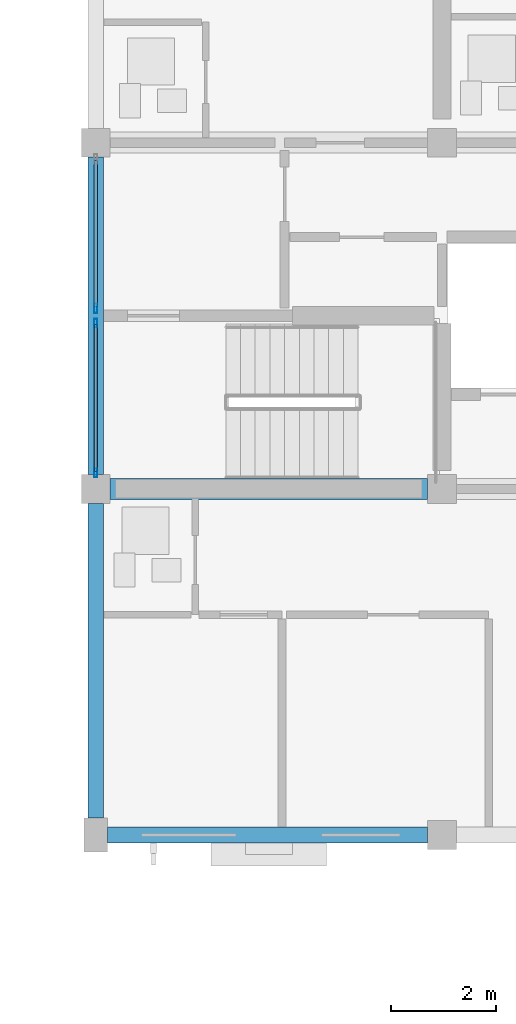
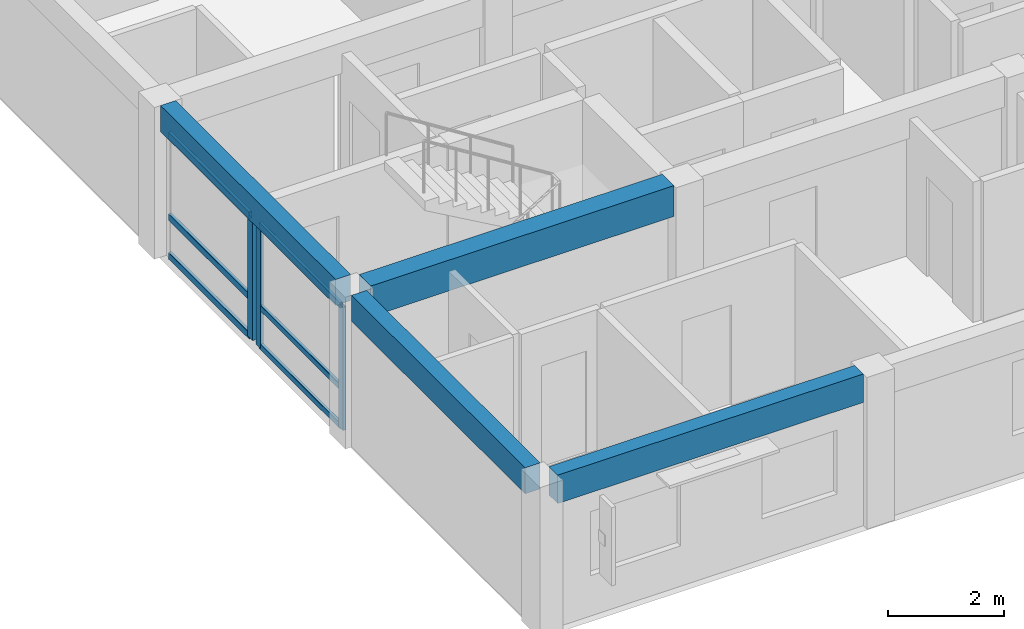
# One storey, part 18 of 52: 9 members, 4 beams, 2 elements without a shape of their own.
"""IFC4 building model written with IfcOpenShell, lengths in metres."""

import ifcopenshell
import ifcopenshell.guid

model = None  # the IFC model being written
_history = None  # IfcOwnerHistory: only IFC2X3 demands one
_inside = {}  # id of a spatial element -> (the spatial element, [elements in it])
_under = {}  # id of a project, library or spatial element -> (it, [spatial elements below it])
_declared = {}  # id of a project -> (the project, [libraries it declares])
_typed = {}  # id of a type object -> (the type object, [elements of that type])
_made_of = {}  # id of a material, layer set ... -> (it, [elements and type objects made of it])


def new_model(schema):
    """Start an empty IFC model of exactly this schema.

    Asked for "IFC4X3", IfcOpenShell would pick the latest addendum, in which some entities
    have other attributes; the version numbers below select the first issue.
    IFC2X3 requires an IfcOwnerHistory on every rooted entity: one is made here for all.
    """
    global model, _history
    if schema == "IFC4X3":
        model = ifcopenshell.file(schema_version=(4, 3, 0, 0))
    else:
        model = ifcopenshell.file(schema=schema)
    _inside.clear()
    _under.clear()
    _declared.clear()
    _typed.clear()
    _made_of.clear()
    _history = None
    if model.schema == "IFC2X3":
        org = make("IfcOrganization", Name="unknown")
        user = make(
            "IfcPersonAndOrganization",
            ThePerson=make("IfcPerson", FamilyName="unknown"),
            TheOrganization=org,
        )
        app = make(
            "IfcApplication",
            ApplicationDeveloper=org,
            Version="unknown",
            ApplicationFullName="unknown",
            ApplicationIdentifier="unknown",
        )
        _history = make(
            "IfcOwnerHistory",
            OwningUser=user,
            OwningApplication=app,
            ChangeAction="ADDED",
            CreationDate=0,
        )
    return model


def make(cls, **values):
    """One entity of the class cls with the attributes given. An attribute that is None is left unset."""
    return model.create_entity(
        cls, **{name: value for name, value in values.items() if value is not None}
    )


def rooted(cls, **values):
    """An entity with a GlobalId (a new one), such as an element, a storey or a relation."""
    return make(cls, GlobalId=ifcopenshell.guid.new(), OwnerHistory=_history, **values)


def si_unit(unit_type, name, prefix=None):
    """IfcSIUnit, for example si_unit("LENGTHUNIT", "METRE", prefix="MILLI")."""
    return make("IfcSIUnit", UnitType=unit_type, Prefix=prefix, Name=name)


def assignment(units):
    """IfcUnitAssignment: the units of a project."""
    return None if units is None else make("IfcUnitAssignment", Units=units)


def point(xyz):
    """IfcCartesianPoint."""
    return None if xyz is None else make("IfcCartesianPoint", Coordinates=xyz)


def direction(xyz):
    """IfcDirection."""
    return None if xyz is None else make("IfcDirection", DirectionRatios=xyz)


def frame(location, z_axis=None, x_axis=None):
    """IfcAxis2Placement3D, a coordinate frame: its origin and axes. An axis left out is left unset."""
    return make(
        "IfcAxis2Placement3D",
        Location=point(location),
        Axis=direction(z_axis),
        RefDirection=direction(x_axis),
    )


def frame_2d(location, x_axis=None):
    """IfcAxis2Placement2D, a coordinate frame in the plane: its origin and x axis."""
    return make(
        "IfcAxis2Placement2D", Location=point(location), RefDirection=direction(x_axis)
    )


def origin():
    """The frame at (0, 0, 0) with its axes left unset."""
    return frame((0.0, 0.0, 0.0))


def origin_2d():
    """The frame at (0, 0) in the plane with its x axis left unset."""
    return frame_2d((0.0, 0.0))


def place(relative_to, where):
    """IfcLocalPlacement: puts the frame where relative to a parent placement (None: the world)."""
    return make(
        "IfcLocalPlacement", PlacementRelTo=relative_to, RelativePlacement=where
    )


def context(
    kind, dimensions, precision=None, world=None, true_north=None, identifier=None
):
    """IfcGeometricRepresentationContext, for example the 3D "Model" context."""
    return make(
        "IfcGeometricRepresentationContext",
        ContextIdentifier=identifier,
        ContextType=kind,
        CoordinateSpaceDimension=dimensions,
        Precision=precision,
        WorldCoordinateSystem=world,
        TrueNorth=true_north,
    )


def subcontext(parent, identifier, kind, view, scale=None):
    """IfcGeometricRepresentationSubContext, for example "Body" below "Model"."""
    return make(
        "IfcGeometricRepresentationSubContext",
        ContextIdentifier=identifier,
        ContextType=kind,
        ParentContext=parent,
        TargetScale=scale,
        TargetView=view,
    )


def project(units=None, contexts=None):
    """IfcProject with its units and contexts."""
    return rooted(
        "IfcProject",
        Name="project",
        RepresentationContexts=contexts,
        UnitsInContext=assignment(units),
    )


def spatial(cls, under=None, at=None, **own):
    """A site, building, storey or space (cls), placed at a placement, below another one or the project."""
    s = rooted(cls, ObjectPlacement=at, **own)
    if under is not None:
        _under.setdefault(under.id(), (under, []))[1].append(s)
    return s


def profile(cls, at=None, kind="AREA", **sizes):
    """A parametric profile (cls). Its sizes go by their IFC names, for example OverallWidth=200.0."""
    return make(cls, ProfileType=kind, Position=at, **sizes)


def rectangle(**sizes):
    """IfcRectangleProfileDef."""
    return profile("IfcRectangleProfileDef", **sizes)


def hollow_rectangle(**sizes):
    """IfcRectangleHollowProfileDef."""
    return profile("IfcRectangleHollowProfileDef", **sizes)


def extrude(swept, where, along, depth):
    """IfcExtrudedAreaSolid: the profile swept, set in the frame where, extruded along a direction by depth."""
    return make(
        "IfcExtrudedAreaSolid",
        SweptArea=swept,
        Position=where,
        ExtrudedDirection=direction(along),
        Depth=depth,
    )


def shape(context_of_items, identifier, shape_type, items):
    """IfcShapeRepresentation: the items that make up one representation, for example the "Body"."""
    return make(
        "IfcShapeRepresentation",
        ContextOfItems=context_of_items,
        RepresentationIdentifier=identifier,
        RepresentationType=shape_type,
        Items=items,
    )


def material(Name=None, Category=None):
    """IfcMaterial."""
    return make("IfcMaterial", Name=Name, Category=Category)


def material_profile(
    of_material, cross_section, Name=None, Category=None, Priority=None
):
    """IfcMaterialProfile: a cross section and its material."""
    return make(
        "IfcMaterialProfile",
        Name=Name,
        Material=of_material,
        Profile=cross_section,
        Priority=Priority,
        Category=Category,
    )


def profile_set(profiles, Name=None, composite=None):
    """IfcMaterialProfileSet."""
    return make(
        "IfcMaterialProfileSet",
        Name=Name,
        MaterialProfiles=profiles,
        CompositeProfile=composite,
    )


def made_of(thing, what):
    """Note that an element or type object is made of a material, layer set ...; save() writes the relation."""
    if what is not None:
        _made_of.setdefault(what.id(), (what, []))[1].append(thing)
    return thing


def type_object(cls, material=None, **own):
    """A type object (cls), such as IfcWallType, which elements share."""
    return made_of(rooted(cls, **own), material)


def element(
    cls,
    number,
    at=None,
    inside=None,
    cuts=None,
    type_object=None,
    material=None,
    context=None,
    identifier="Body",
    shape_type=None,
    held_by="IfcProductDefinitionShape",
    body=None,
    shapes=None,
    **own,
):
    """One element of the class cls, such as IfcWall. Its Tag is "e" and its number.

    at: its placement. inside: the storey or other place that contains it. cuts: it is an
    opening in that element (IfcRelVoidsElement). A single representation is given by context,
    identifier, shape_type and body (its items); several are given by shapes. held_by: the class
    of the entity that holds the representations. save() writes the other relations.
    """
    e = rooted(cls, Tag="e%d" % number, ObjectPlacement=at, **own)
    if body is not None:
        shapes = [shape(context, identifier, shape_type, body)]
    if shapes is not None:
        e.Representation = make(held_by, Representations=shapes)
    if inside is not None:
        _inside.setdefault(inside.id(), (inside, []))[1].append(e)
    if cuts is not None:
        rooted(
            "IfcRelVoidsElement", RelatingBuildingElement=cuts, RelatedOpeningElement=e
        )
    if type_object is not None:
        _typed.setdefault(type_object.id(), (type_object, []))[1].append(e)
    return made_of(e, material)


def aggregate(whole, parts):
    """IfcRelAggregates: a whole, such as a stair, and the parts it consists of."""
    return rooted("IfcRelAggregates", RelatingObject=whole, RelatedObjects=parts)


def save(model, path):
    """Write the relations noted so far, then the file.

    IfcRelAggregates (storeys below a building ...), IfcRelContainedInSpatialStructure (elements
    in a storey), IfcRelDefinesByType, IfcRelAssociatesMaterial and IfcRelDeclares: one each for
    every whole, place, type object, material and project.
    """
    for whole, parts in _under.values():
        aggregate(whole, parts)
    for where, things in _inside.values():
        rooted(
            "IfcRelContainedInSpatialStructure",
            RelatedElements=things,
            RelatingStructure=where,
        )
    for kind, things in _typed.values():
        rooted("IfcRelDefinesByType", RelatedObjects=things, RelatingType=kind)
    for what, things in _made_of.values():
        rooted("IfcRelAssociatesMaterial", RelatedObjects=things, RelatingMaterial=what)
    for by, libraries in _declared.values():
        rooted("IfcRelDeclares", RelatingContext=by, RelatedDefinitions=libraries)
    model.write(path)


model = new_model("IFC4")

# Units and contexts
model_context = context("Model", 3, precision=1e-05, world=origin(), true_north=direction((0.0, 1.0)))
body_context = subcontext(model_context, "Body", "Model", "MODEL_VIEW")
ifc_project = project(units=[si_unit("LENGTHUNIT", "METRE"), si_unit("AREAUNIT", "SQUARE_METRE"), si_unit("VOLUMEUNIT", "CUBIC_METRE"), si_unit("PLANEANGLEUNIT", "RADIAN"), si_unit("MASSUNIT", "GRAM", prefix="KILO")], contexts=[model_context])

# Site, building, storey
site_placement = place(None, origin())
site = spatial("IfcSite", under=ifc_project, at=site_placement, CompositionType="ELEMENT")
building_placement = place(site_placement, origin())
building = spatial("IfcBuilding", under=site, at=building_placement, Name="Kernevlak Ridge Housing Community", CompositionType="ELEMENT")
storey_placement = place(building_placement, frame((0.0, 0.0, 11.60009765625)))
storey = spatial("IfcBuildingStorey", under=building, at=storey_placement, Name="L03", CompositionType="ELEMENT", Elevation=11.60009765625)

# Beam
ifc_material_1 = material(Name="Concrete C35/45", Category="concrete")
ifc_material_profile_1 = material_profile(ifc_material_1, rectangle(XDim=0.39990234375, YDim=0.64990234375, at=origin_2d()), Name="RC 400x650")
ifc_profile_set_1 = profile_set([ifc_material_profile_1], Name="Concrete C35/45")
beam_type_1 = type_object("IfcBeamType", Name="B-03", PredefinedType="T_BEAM", material=ifc_profile_set_1)
beam_1_placement = place(storey_placement, frame((119.675048828125, 89.199951171875, 2.875), z_axis=(1.0, 0.0, 0.0), x_axis=(0.0, 1.0, 0.0)))
element("IfcBeam", 1, at=beam_1_placement, inside=storey, type_object=beam_type_1, Name="Beam B-03 L03 660", PredefinedType="T_BEAM", context=body_context, shape_type="SweptSolid", body=[
    extrude(rectangle(XDim=0.39990234375, YDim=0.64990234375, at=origin_2d()), origin(), (0.0, 0.0, 1.0), 6.050048828125),
])

# Curtain wall, members
ifc_material_2 = material(Name="Aluminium EN AW-6060 anodised and laminated glass", Category="aluminium")
curtain_wall_type_1 = type_object("IfcCurtainWallType", Name="CW-04", PredefinedType="NOTDEFINED", material=ifc_material_2)
curtain_wall_1_placement = place(storey_placement, origin())
curtain_wall_1 = element("IfcCurtainWall", 2, at=curtain_wall_1_placement, inside=storey, type_object=curtain_wall_type_1, Name="Curtain wall CW-04 CW-L03-064", PredefinedType="NOTDEFINED")
ifc_material_3 = material(Name="Aluminium EN AW-6060 anodised", Category="aluminium")
ifc_material_profile_2 = material_profile(ifc_material_3, hollow_rectangle(XDim=0.06005859375, YDim=0.159912109375, WallThickness=0.00390625, InnerFilletRadius=0.001953125, OuterFilletRadius=0.00390625, at=origin_2d()), Name="ALU 60x160x4")
ifc_profile_set_2 = profile_set([ifc_material_profile_2], Name="Aluminium EN AW-6060 anodised")
member_type_1 = type_object("IfcMemberType", Name="MU-02", PredefinedType="MULLION", material=ifc_profile_set_2)
member_1_placement = place(storey_placement, frame((119.39990234375, 89.5048828125, 0.0), z_axis=(0.0, 0.0, 1.0), x_axis=(-1.0, 0.0, 0.0)))
member_1 = element("IfcMember", 3, at=member_1_placement, type_object=member_type_1, Name="CW-04 mullion 1", PredefinedType="MULLION", context=body_context, shape_type="SweptSolid", body=[
    extrude(hollow_rectangle(XDim=0.06005859375, YDim=0.159912109375, WallThickness=0.00390625, InnerFilletRadius=0.001953125, OuterFilletRadius=0.00390625, at=origin_2d()), origin(), (0.0, 0.0, 1.0), 2.599853515625),
])
member_2_placement = place(storey_placement, frame((119.39990234375, 92.360107421875, 0.0), z_axis=(0.0, 0.0, 1.0), x_axis=(-1.0, 0.0, 0.0)))
member_2 = element("IfcMember", 4, at=member_2_placement, type_object=member_type_1, Name="CW-04 mullion 2", PredefinedType="MULLION", context=body_context, shape_type="SweptSolid", body=[
    extrude(hollow_rectangle(XDim=0.06005859375, YDim=0.159912109375, WallThickness=0.00390625, InnerFilletRadius=0.001953125, OuterFilletRadius=0.00390625, at=origin_2d()), origin(), (0.0, 0.0, 1.0), 2.599853515625),
])

# Curtain wall, member
curtain_wall_type_2 = type_object("IfcCurtainWallType", Name="CW-10", PredefinedType="NOTDEFINED", material=ifc_material_2)
curtain_wall_2_placement = place(storey_placement, origin())
curtain_wall_2 = element("IfcCurtainWall", 5, at=curtain_wall_2_placement, inside=storey, type_object=curtain_wall_type_2, Name="Curtain wall CW-10 CW-L03-065", PredefinedType="NOTDEFINED")
ifc_material_profile_3 = material_profile(ifc_material_3, hollow_rectangle(XDim=0.06494140625, YDim=0.179931640625, WallThickness=0.00439453125, InnerFilletRadius=0.001953125, OuterFilletRadius=0.00439453125, at=origin_2d()), Name="ALU 65x180x4.5")
ifc_profile_set_3 = profile_set([ifc_material_profile_3], Name="Aluminium EN AW-6060 anodised")
member_type_2 = type_object("IfcMemberType", Name="MU-03", PredefinedType="MULLION", material=ifc_profile_set_3)
member_3_placement = place(storey_placement, frame((119.39990234375, 92.642578125, 0.0), z_axis=(0.0, 0.0, 1.0), x_axis=(-1.0, 0.0, 0.0)))
member_3 = element("IfcMember", 6, at=member_3_placement, type_object=member_type_2, Name="CW-10 mullion 1", PredefinedType="MULLION", context=body_context, shape_type="SweptSolid", body=[
    extrude(hollow_rectangle(XDim=0.06494140625, YDim=0.179931640625, WallThickness=0.00439453125, InnerFilletRadius=0.001953125, OuterFilletRadius=0.00439453125, at=origin_2d()), origin(), (0.0, 0.0, 1.0), 2.599853515625),
])

# Beams
ifc_material_profile_4 = material_profile(ifc_material_1, rectangle(XDim=0.300048828125, YDim=0.550048828125, at=origin_2d()), Name="RC 300x550")
ifc_profile_set_4 = profile_set([ifc_material_profile_4], Name="Concrete C35/45")
beam_type_2 = type_object("IfcBeamType", Name="SP-01", PredefinedType="SPANDREL", material=ifc_profile_set_4)
beam_2_placement = place(storey_placement, frame((119.39990234375, 82.925048828125, 2.9248046875), z_axis=(0.0, 1.0, 0.0), x_axis=(-1.0, 0.0, 0.0)))
element("IfcBeam", 7, at=beam_2_placement, inside=storey, type_object=beam_type_2, Name="Beam SP-01 L03 675", PredefinedType="SPANDREL", context=body_context, shape_type="SweptSolid", body=[
    extrude(rectangle(XDim=0.300048828125, YDim=0.550048828125, at=origin_2d()), origin(), (0.0, 0.0, 1.0), 6.0),
])
beam_3_placement = place(storey_placement, frame((119.39990234375, 89.47509765625, 2.9248046875), z_axis=(0.0, 1.0, 0.0), x_axis=(-1.0, 0.0, 0.0)))
element("IfcBeam", 8, at=beam_3_placement, inside=storey, type_object=beam_type_2, Name="Beam SP-01 L03 676", PredefinedType="SPANDREL", context=body_context, shape_type="SweptSolid", body=[
    extrude(rectangle(XDim=0.300048828125, YDim=0.550048828125, at=origin_2d()), origin(), (0.0, 0.0, 1.0), 6.0498046875),
])
ifc_material_profile_5 = material_profile(ifc_material_1, rectangle(XDim=0.300048828125, YDim=0.60009765625, at=origin_2d()), Name="RC 300x600")
ifc_profile_set_5 = profile_set([ifc_material_profile_5], Name="Concrete C35/45")
beam_type_3 = type_object("IfcBeamType", Name="SP-02", PredefinedType="SPANDREL", material=ifc_profile_set_5)
beam_4_placement = place(storey_placement, frame((119.625, 82.60009765625, 2.89990234375), z_axis=(1.0, 0.0, 0.0), x_axis=(0.0, 1.0, 0.0)))
element("IfcBeam", 9, at=beam_4_placement, inside=storey, type_object=beam_type_3, Name="Beam SP-02 L03 655", PredefinedType="SPANDREL", context=body_context, shape_type="SweptSolid", body=[
    extrude(rectangle(XDim=0.300048828125, YDim=0.60009765625, at=origin_2d()), origin(), (0.0, 0.0, 1.0), 6.10009765625),
])

# Member
ifc_material_profile_6 = material_profile(ifc_material_3, hollow_rectangle(XDim=0.06005859375, YDim=0.1201171875, WallThickness=0.00390625, InnerFilletRadius=0.001953125, OuterFilletRadius=0.00390625, at=origin_2d()), Name="ALU 60x120x4")
ifc_profile_set_6 = profile_set([ifc_material_profile_6], Name="Aluminium EN AW-6060 anodised")
member_type_3 = type_object("IfcMemberType", Name="TM-02", PredefinedType="USERDEFINED", material=ifc_profile_set_6)
member_4_placement = place(storey_placement, frame((119.39990234375, 89.534912109375, 0.02978515625), z_axis=(0.0, 1.0, 0.0), x_axis=(-1.0, 0.0, 0.0)))
member_4 = element("IfcMember", 10, at=member_4_placement, type_object=member_type_3, Name="CW-04 transom 1.1", ObjectType="TRANSOM", PredefinedType="USERDEFINED", context=body_context, shape_type="SweptSolid", body=[
    extrude(hollow_rectangle(XDim=0.06005859375, YDim=0.1201171875, WallThickness=0.00390625, InnerFilletRadius=0.001953125, OuterFilletRadius=0.00390625, at=origin_2d()), origin(), (0.0, 0.0, 1.0), 2.795166015625),
])

member_5_placement = place(storey_placement, frame((119.39990234375, 89.534912109375, 0.849853515625), z_axis=(0.0, 1.0, 0.0), x_axis=(-1.0, 0.0, 0.0)))
member_5 = element("IfcMember", 11, at=member_5_placement, type_object=member_type_3, Name="CW-04 transom 1.2", ObjectType="TRANSOM", PredefinedType="USERDEFINED", context=body_context, shape_type="SweptSolid", body=[
    extrude(hollow_rectangle(XDim=0.06005859375, YDim=0.1201171875, WallThickness=0.00390625, InnerFilletRadius=0.001953125, OuterFilletRadius=0.00390625, at=origin_2d()), origin(), (0.0, 0.0, 1.0), 2.795166015625),
])

member_6_placement = place(storey_placement, frame((119.39990234375, 89.534912109375, 2.56982421875), z_axis=(0.0, 1.0, 0.0), x_axis=(-1.0, 0.0, 0.0)))
member_6 = element("IfcMember", 12, at=member_6_placement, type_object=member_type_3, Name="CW-04 transom 1.3", ObjectType="TRANSOM", PredefinedType="USERDEFINED", context=body_context, shape_type="SweptSolid", body=[
    extrude(hollow_rectangle(XDim=0.06005859375, YDim=0.1201171875, WallThickness=0.00390625, InnerFilletRadius=0.001953125, OuterFilletRadius=0.00390625, at=origin_2d()), origin(), (0.0, 0.0, 1.0), 2.795166015625),
])

aggregate(curtain_wall_1, [member_1, member_2, member_4, member_5, member_6])

ifc_material_profile_7 = material_profile(ifc_material_3, hollow_rectangle(XDim=0.06494140625, YDim=0.139892578125, WallThickness=0.00390625, InnerFilletRadius=0.001953125, OuterFilletRadius=0.00390625, at=origin_2d()), Name="ALU 65x140x4")
ifc_profile_set_7 = profile_set([ifc_material_profile_7], Name="Aluminium EN AW-6060 anodised")
member_type_4 = type_object("IfcMemberType", Name="TM-03", PredefinedType="USERDEFINED", material=ifc_profile_set_7)
member_7_placement = place(storey_placement, frame((119.39990234375, 92.675048828125, 0.032470703125), z_axis=(0.0, 1.0, 0.0), x_axis=(-1.0, 0.0, 0.0)))
member_7 = element("IfcMember", 13, at=member_7_placement, type_object=member_type_4, Name="CW-10 transom 1.1", ObjectType="TRANSOM", PredefinedType="USERDEFINED", context=body_context, shape_type="SweptSolid", body=[
    extrude(hollow_rectangle(XDim=0.06494140625, YDim=0.139892578125, WallThickness=0.00390625, InnerFilletRadius=0.001953125, OuterFilletRadius=0.00390625, at=origin_2d()), origin(), (0.0, 0.0, 1.0), 2.784912109375),
])

member_8_placement = place(storey_placement, frame((119.39990234375, 92.675048828125, 0.849853515625), z_axis=(0.0, 1.0, 0.0), x_axis=(-1.0, 0.0, 0.0)))
member_8 = element("IfcMember", 14, at=member_8_placement, type_object=member_type_4, Name="CW-10 transom 1.2", ObjectType="TRANSOM", PredefinedType="USERDEFINED", context=body_context, shape_type="SweptSolid", body=[
    extrude(hollow_rectangle(XDim=0.06494140625, YDim=0.139892578125, WallThickness=0.00390625, InnerFilletRadius=0.001953125, OuterFilletRadius=0.00390625, at=origin_2d()), origin(), (0.0, 0.0, 1.0), 2.784912109375),
])

member_9_placement = place(storey_placement, frame((119.39990234375, 92.675048828125, 2.5673828125), z_axis=(0.0, 1.0, 0.0), x_axis=(-1.0, 0.0, 0.0)))
member_9 = element("IfcMember", 15, at=member_9_placement, type_object=member_type_4, Name="CW-10 transom 1.3", ObjectType="TRANSOM", PredefinedType="USERDEFINED", context=body_context, shape_type="SweptSolid", body=[
    extrude(hollow_rectangle(XDim=0.06494140625, YDim=0.139892578125, WallThickness=0.00390625, InnerFilletRadius=0.001953125, OuterFilletRadius=0.00390625, at=origin_2d()), origin(), (0.0, 0.0, 1.0), 2.784912109375),
])

aggregate(curtain_wall_2, [member_3, member_7, member_8, member_9])

save(model, "model.ifc")
